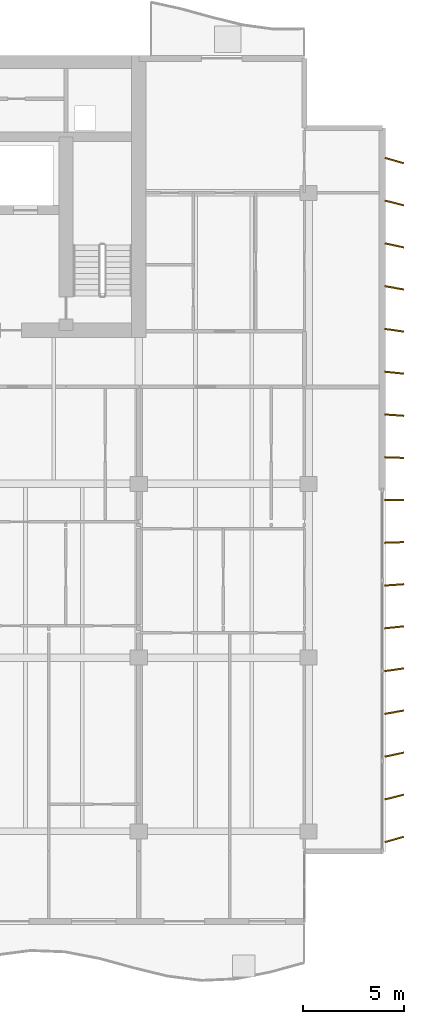
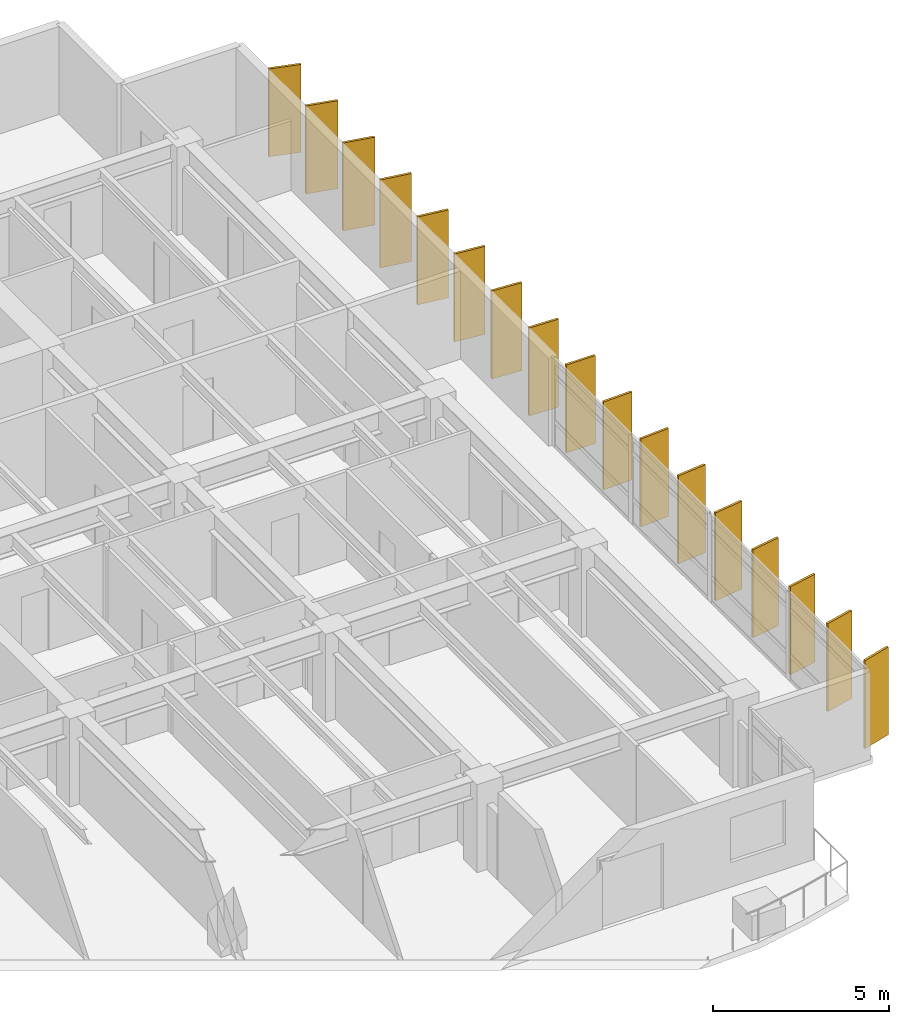
# One storey, part 19 of 19: 17 shading devices.
"""IFC4 building model written with IfcOpenShell, lengths in metres."""

from ifc_helpers import new_model, si_unit, direction, frame, origin, origin_2d, place, context, subcontext, project, spatial, rectangle, extrude, material, material_profile, profile_set, type_object, element, save


model = new_model("IFC4")

# Units and contexts
model_context = context("Model", 3, precision=1e-05, world=origin(), true_north=direction((0.0, 1.0)))
body_context = subcontext(model_context, "Body", "Model", "MODEL_VIEW")
ifc_project = project(units=[si_unit("LENGTHUNIT", "METRE"), si_unit("AREAUNIT", "SQUARE_METRE"), si_unit("VOLUMEUNIT", "CUBIC_METRE"), si_unit("PLANEANGLEUNIT", "RADIAN"), si_unit("MASSUNIT", "GRAM", prefix="KILO")], contexts=[model_context])

# Site, building, storey
site_placement = place(None, origin())
site = spatial("IfcSite", under=ifc_project, at=site_placement, CompositionType="ELEMENT")
building_placement = place(site_placement, origin())
building = spatial("IfcBuilding", under=site, at=building_placement, Name="Caelmar Bay Residences", CompositionType="ELEMENT")
storey_placement = place(building_placement, frame((0.0, 0.0, 160.5)))
storey = spatial("IfcBuildingStorey", under=building, at=storey_placement, Name="L44", CompositionType="ELEMENT", Elevation=160.5)

# Shading devices
ifc_material = material(Name="Anodised architectural bronze aluminium 6063-T6", Category="aluminium")
ifc_material_profile = material_profile(ifc_material, rectangle(XDim=0.074951171875, YDim=0.949951171875, at=origin_2d()), Name="BRONZE-FIN-75X950")
ifc_profile_set = profile_set([ifc_material_profile], Name="Anodised architectural bronze aluminium 6063-T6")
shading_device_type = type_object("IfcShadingDeviceType", Name="SHD-FIN-950", PredefinedType="USERDEFINED", material=ifc_profile_set)
for number, where, z_axis, x_axis, name in (
    (1, (72.14990234375, 11.800048828125, 0.0), (0.0, 0.0, 1.0), (-0.275637355817, 0.961261695938, 0.0), "L44 East Bronze Solar Fin 1"),
    (2, (72.14990234375, 13.89990234375, 0.0), (0.0, 0.0, 1.0), (-0.2419218956, 0.970295726276, 0.0), "L44 East Bronze Solar Fin 2"),
    (3, (72.14990234375, 16.0, 0.0), (0.0, 0.0, 1.0), (-0.207911690818, 0.978147600734, 0.0), "L44 East Bronze Solar Fin 3"),
    (4, (72.14990234375, 18.10009765625, 0.0), (0.0, 0.0, 1.0), (-0.173648177667, 0.984807753012, 0.0), "L44 East Bronze Solar Fin 4"),
    (5, (72.14990234375, 20.199951171875, 0.0), (0.0, 0.0, 1.0), (-0.13917310096, 0.990268068742, 0.0), "L44 East Bronze Solar Fin 5"),
    (6, (72.14990234375, 22.300048828125, 0.0), (0.0, 0.0, 1.0), (-0.104528463268, 0.994521895368, 0.0), "L44 East Bronze Solar Fin 6"),
    (7, (72.14990234375, 24.39990234375, 0.0), (0.0, 0.0, 1.0), (-0.069756473744, 0.99756405026, 0.0), "L44 East Bronze Solar Fin 7"),
    (8, (72.14990234375, 26.5, 0.0), (0.0, 0.0, 1.0), (-0.034899496703, 0.999390827019, 0.0), "L44 East Bronze Solar Fin 8"),
    (9, (72.14990234375, 28.60009765625, 0.0), (0.0, 0.0, 1.0), (0.0, 1.0, 0.0), "L44 East Bronze Solar Fin 9"),
    (10, (72.14990234375, 30.699951171875, 0.0), (0.0, 0.0, 1.0), (0.034899496703, 0.999390827019, 0.0), "L44 East Bronze Solar Fin 10"),
    (11, (72.14990234375, 32.800048828125, 0.0), (0.0, 0.0, 1.0), (0.069756473744, 0.99756405026, 0.0), "L44 East Bronze Solar Fin 11"),
    (12, (72.14990234375, 34.89990234375, 0.0), (0.0, 0.0, 1.0), (0.104528463268, 0.994521895368, 0.0), "L44 East Bronze Solar Fin 12"),
    (13, (72.14990234375, 37.0, 0.0), (0.0, 0.0, 1.0), (0.13917310096, 0.990268068742, 0.0), "L44 East Bronze Solar Fin 13"),
    (14, (72.14990234375, 39.10009765625, 0.0), (0.0, 0.0, 1.0), (0.173648177667, 0.984807753012, 0.0), "L44 East Bronze Solar Fin 14"),
    (15, (72.14990234375, 41.199951171875, 0.0), (0.0, 0.0, 1.0), (0.207911690818, 0.978147600734, 0.0), "L44 East Bronze Solar Fin 15"),
    (16, (72.14990234375, 43.300048828125, 0.0), (0.0, 0.0, 1.0), (0.2419218956, 0.970295726276, 0.0), "L44 East Bronze Solar Fin 16"),
    (17, (72.14990234375, 45.39990234375, 0.0), (0.0, 0.0, 1.0), (0.275637355817, 0.961261695938, 0.0), "L44 East Bronze Solar Fin 17"),
):
    element("IfcShadingDevice", number, at=place(storey_placement, frame(where, z_axis=z_axis, x_axis=x_axis)), inside=storey, type_object=shading_device_type, Name=name, ObjectType="FIN", PredefinedType="USERDEFINED", context=body_context, shape_type="SweptSolid", body=[
        extrude(rectangle(XDim=0.074951171875, YDim=0.949951171875, at=origin_2d()), origin(), (0.0, 0.0, 1.0), 3.050048828125),
    ])

save(model, "model.ifc")
